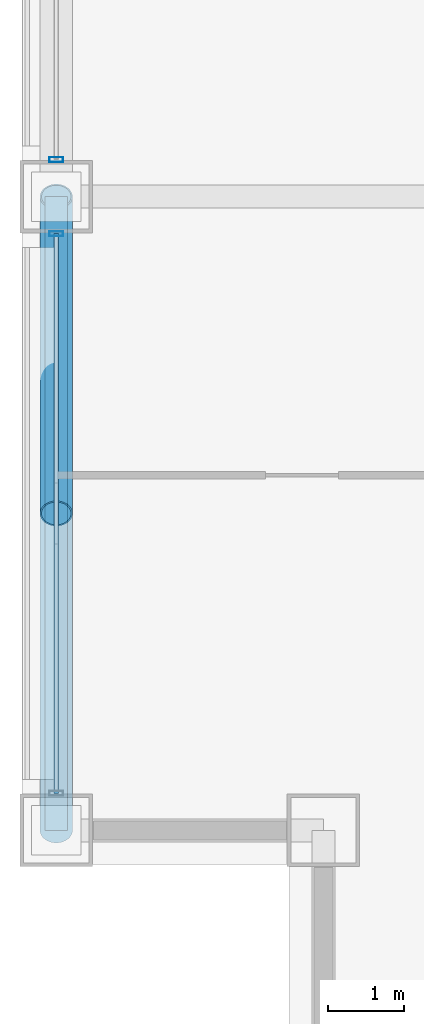
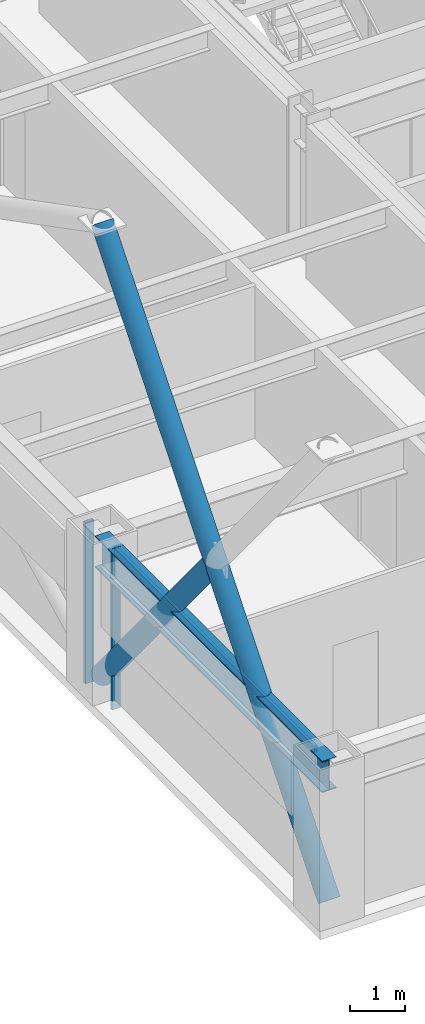
# One storey, part 5 of 33: 5 members, 1 beam, 2 elements without a shape of their own.
"""IFC4 building model written with IfcOpenShell, lengths in metres."""

from ifc_helpers import new_model, si_unit, direction, frame, origin, origin_2d, place, context, subcontext, project, spatial, hollow_rectangle, hollow_circle, i_section, extrude, material, layer, layer_set, material_profile, profile_set, type_object, element, aggregate, save


model = new_model("IFC4")

# Units and contexts
model_context = context("Model", 3, precision=1e-05, world=origin(), true_north=direction((0.0, 1.0)))
body_context = subcontext(model_context, "Body", "Model", "MODEL_VIEW")
ifc_project = project(units=[si_unit("LENGTHUNIT", "METRE"), si_unit("AREAUNIT", "SQUARE_METRE"), si_unit("VOLUMEUNIT", "CUBIC_METRE"), si_unit("PLANEANGLEUNIT", "RADIAN"), si_unit("MASSUNIT", "GRAM", prefix="KILO")], contexts=[model_context])

# Site, building, storey
site_placement = place(None, origin())
site = spatial("IfcSite", under=ifc_project, at=site_placement, CompositionType="ELEMENT")
building_placement = place(site_placement, origin())
building = spatial("IfcBuilding", under=site, at=building_placement, Name="Brelmoor Portico Tower", CompositionType="ELEMENT")
storey_placement = place(building_placement, frame((0.0, 0.0, 34.800048828125)))
storey = spatial("IfcBuildingStorey", under=building, at=storey_placement, Name="L08", CompositionType="ELEMENT", Elevation=34.800048828125)

# Beam
ifc_material_1 = material(Name="Steel Q355B", Category="steel")
ifc_material_profile_1 = material_profile(ifc_material_1, i_section(OverallWidth=0.300048828125, OverallDepth=0.699951171875, WebThickness=0.012939453125, FlangeThickness=0.02392578125, at=origin_2d()), Name="HN 700x300x13x24")
ifc_profile_set_1 = profile_set([ifc_material_profile_1], Name="Steel Q355B")
beam_type = type_object("IfcBeamType", Name="BM-SP-700", PredefinedType="SPANDREL", material=ifc_profile_set_1)
beam_placement = place(storey_placement, frame((-24.550048828125, -18.050048828125, 3.050048828125), z_axis=(0.0, 1.0, 0.0), x_axis=(-1.0, 0.0, 0.0)))
element("IfcBeam", 1, at=beam_placement, inside=storey, type_object=beam_type, Name="L08 Perimeter Spandrel Beam SP-15", PredefinedType="SPANDREL", context=body_context, shape_type="SweptSolid", body=[
    extrude(i_section(OverallWidth=0.300048828125, OverallDepth=0.699951171875, WebThickness=0.012939453125, FlangeThickness=0.02392578125, at=origin_2d()), origin(), (0.0, 0.0, 1.0), 8.300048828125),
])

# Members
ifc_material_profile_2 = material_profile(ifc_material_1, hollow_circle(Radius=0.212890625, WallThickness=0.02001953125, at=origin_2d()), Name="CHS 426x20")
ifc_profile_set_2 = profile_set([ifc_material_profile_2], Name="Steel Q355B")
member_type_1 = type_object("IfcMemberType", Name="MB-BELT-DIAG1", PredefinedType="BRACE", material=ifc_profile_set_2)
member_1_placement = place(storey_placement, frame((-24.550048828125, -18.050048828125, 0.25), z_axis=(0.0, 0.634910260742, 0.772585892186), x_axis=(-1.0, 0.0, 0.0)))
element("IfcMember", 2, at=member_1_placement, inside=storey, type_object=member_type_1, Name="L08 Continuous Mega-X Brace 013A", PredefinedType="BRACE", context=body_context, shape_type="SweptSolid", body=[
    extrude(hollow_circle(Radius=0.212890625, WallThickness=0.02001953125, at=origin_2d()), origin(), (0.0, 0.0, 1.0), 13.07275390625),
])
member_2_placement = place(storey_placement, frame((-24.550048828125, -9.75, 0.25), z_axis=(0.0, -0.634889952641, 0.772602580914), x_axis=(1.0, 0.0, 0.0)))
element("IfcMember", 3, at=member_2_placement, inside=storey, type_object=member_type_1, Name="L08 Split Mega-X Brace 013B1", PredefinedType="BRACE", context=body_context, shape_type="SweptSolid", body=[
    extrude(hollow_circle(Radius=0.212890625, WallThickness=0.02001953125, at=origin_2d()), origin(), (0.0, 0.0, 1.0), 6.536376953125),
])

# Curtain wall, member
ifc_material_2 = material(Name="Anodised Aluminium Alloy 6063-T6", Category="aluminium")
ifc_layer = layer(ifc_material_2, 0.179931640625)
ifc_layer_set = layer_set([ifc_layer], Name="Anodised Aluminium Alloy 6063-T6")
curtain_wall_type = type_object("IfcCurtainWallType", Name="CW-TOWER-Z1-XB", PredefinedType="NOTDEFINED", material=ifc_layer_set)
curtain_wall_1_placement = place(storey_placement, origin())
curtain_wall_1 = element("IfcCurtainWall", 4, at=curtain_wall_1_placement, inside=storey, type_object=curtain_wall_type, Name="L08 Curtain Wall CW-L08-03-1", PredefinedType="NOTDEFINED")
ifc_material_profile_3 = material_profile(ifc_material_2, hollow_rectangle(XDim=0.06494140625, YDim=0.179931640625, WallThickness=0.00390625, at=origin_2d()), Name="ALU MULLION 65x180")
ifc_profile_set_3 = profile_set([ifc_material_profile_3], Name="Anodised Aluminium Alloy 6063-T6")
member_type_2 = type_object("IfcMemberType", Name="MB-CW-MULL-180", PredefinedType="MULLION", material=ifc_profile_set_3)
member_3_placement = place(storey_placement, frame((-24.550048828125, -10.235107421875, -0.199951171875), z_axis=(0.0, 0.0, 1.0), x_axis=(0.0, 1.0, 0.0)))
member_3 = element("IfcMember", 5, at=member_3_placement, type_object=member_type_2, Name="CW-L08-03-1 Mullion 01", PredefinedType="MULLION", context=body_context, shape_type="SweptSolid", body=[
    extrude(hollow_rectangle(XDim=0.06494140625, YDim=0.179931640625, WallThickness=0.00390625, at=origin_2d()), origin(), (0.0, 0.0, 1.0), 3.599853515625),
])

curtain_wall_2_placement = place(storey_placement, origin())
curtain_wall_2 = element("IfcCurtainWall", 6, at=curtain_wall_2_placement, inside=storey, type_object=curtain_wall_type, Name="L08 Curtain Wall CW-L08-03-2", PredefinedType="NOTDEFINED")
member_4_placement = place(storey_placement, frame((-24.550048828125, -9.264892578125, -0.199951171875), z_axis=(0.0, 0.0, 1.0), x_axis=(0.0, 1.0, 0.0)))
member_4 = element("IfcMember", 7, at=member_4_placement, type_object=member_type_2, Name="CW-L08-03-2 Mullion 00", PredefinedType="MULLION", context=body_context, shape_type="SweptSolid", body=[
    extrude(hollow_rectangle(XDim=0.06494140625, YDim=0.179931640625, WallThickness=0.00390625, at=origin_2d()), origin(), (0.0, 0.0, 1.0), 3.599853515625),
])
aggregate(curtain_wall_2, [member_4])

# Member
ifc_material_profile_4 = material_profile(ifc_material_2, hollow_rectangle(XDim=0.06494140625, YDim=0.139892578125, WallThickness=0.00390625, at=origin_2d()), Name="ALU TRANSOM 65x140")
ifc_profile_set_4 = profile_set([ifc_material_profile_4], Name="Anodised Aluminium Alloy 6063-T6")
member_type_3 = type_object("IfcMemberType", Name="MB-CW-TRAN-140", PredefinedType="USERDEFINED", material=ifc_profile_set_4)
member_5_placement = place(storey_placement, frame((-24.550048828125, -17.56494140625, 3.329833984375), z_axis=(0.0, 1.0, 0.0), x_axis=(-1.0, 0.0, 0.0)))
member_5 = element("IfcMember", 8, at=member_5_placement, type_object=member_type_3, Name="CW-L08-03-1 Transom 1-00", ObjectType="TRANSOM", PredefinedType="USERDEFINED", context=body_context, shape_type="SweptSolid", body=[
    extrude(hollow_rectangle(XDim=0.06494140625, YDim=0.139892578125, WallThickness=0.00390625, at=origin_2d()), origin(), (0.0, 0.0, 1.0), 7.329833984375),
])

aggregate(curtain_wall_1, [member_3, member_5])

save(model, "model.ifc")
